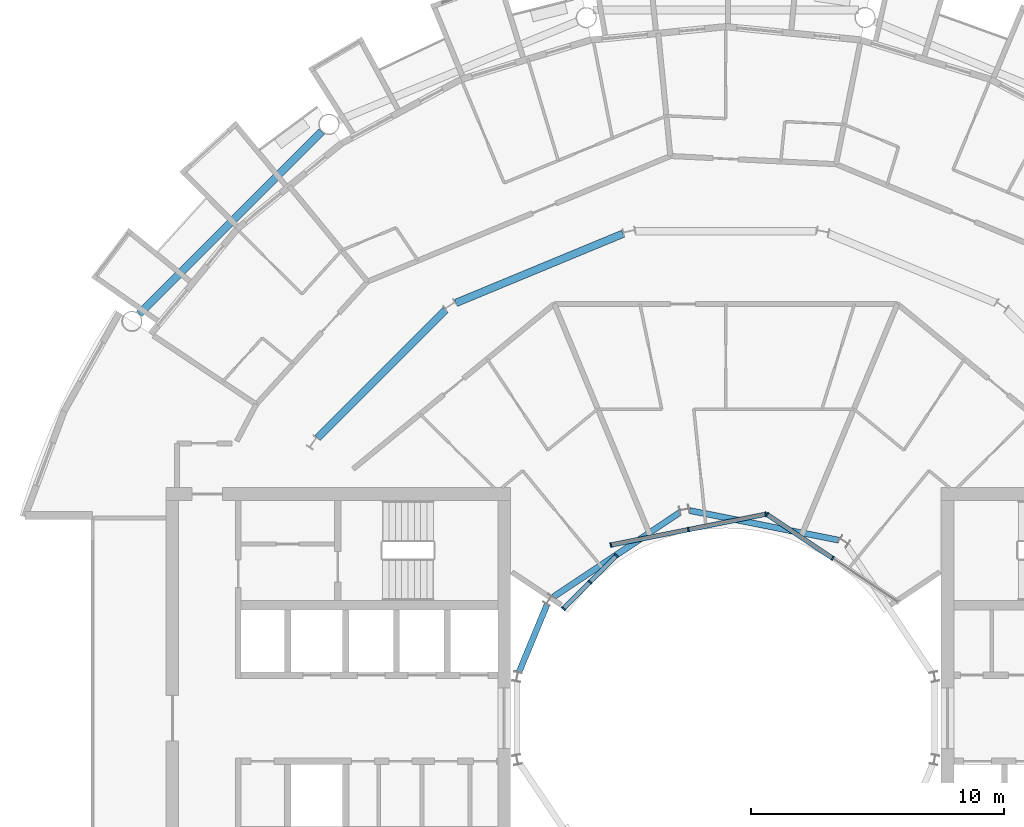
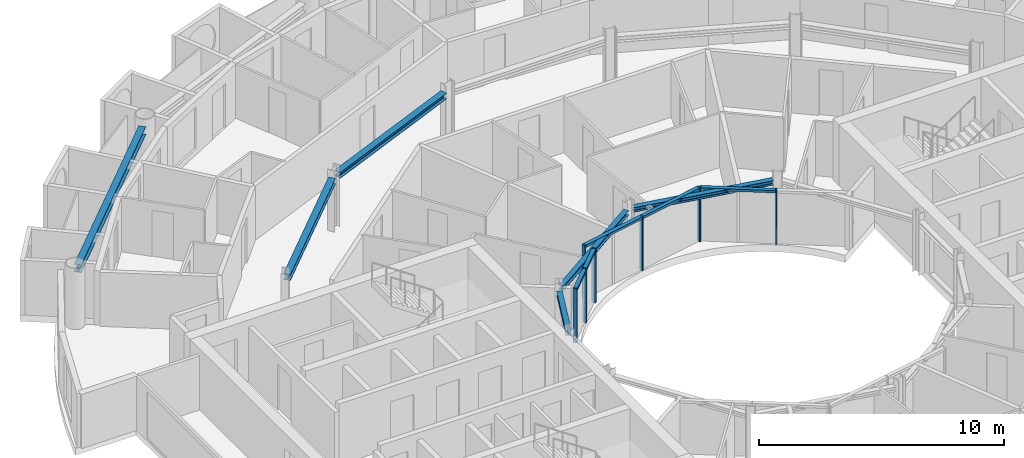
# One storey, part 8 of 28: 13 members, 6 beams, 3 elements without a shape of their own.
"""IFC4 building model written with IfcOpenShell, lengths in metres."""

import ifcopenshell
import ifcopenshell.guid

model = None  # the IFC model being written
_history = None  # IfcOwnerHistory: only IFC2X3 demands one
_inside = {}  # id of a spatial element -> (the spatial element, [elements in it])
_under = {}  # id of a project, library or spatial element -> (it, [spatial elements below it])
_declared = {}  # id of a project -> (the project, [libraries it declares])
_typed = {}  # id of a type object -> (the type object, [elements of that type])
_made_of = {}  # id of a material, layer set ... -> (it, [elements and type objects made of it])


def new_model(schema):
    """Start an empty IFC model of exactly this schema.

    Asked for "IFC4X3", IfcOpenShell would pick the latest addendum, in which some entities
    have other attributes; the version numbers below select the first issue.
    IFC2X3 requires an IfcOwnerHistory on every rooted entity: one is made here for all.
    """
    global model, _history
    if schema == "IFC4X3":
        model = ifcopenshell.file(schema_version=(4, 3, 0, 0))
    else:
        model = ifcopenshell.file(schema=schema)
    _inside.clear()
    _under.clear()
    _declared.clear()
    _typed.clear()
    _made_of.clear()
    _history = None
    if model.schema == "IFC2X3":
        org = make("IfcOrganization", Name="unknown")
        user = make(
            "IfcPersonAndOrganization",
            ThePerson=make("IfcPerson", FamilyName="unknown"),
            TheOrganization=org,
        )
        app = make(
            "IfcApplication",
            ApplicationDeveloper=org,
            Version="unknown",
            ApplicationFullName="unknown",
            ApplicationIdentifier="unknown",
        )
        _history = make(
            "IfcOwnerHistory",
            OwningUser=user,
            OwningApplication=app,
            ChangeAction="ADDED",
            CreationDate=0,
        )
    return model


def make(cls, **values):
    """One entity of the class cls with the attributes given. An attribute that is None is left unset."""
    return model.create_entity(
        cls, **{name: value for name, value in values.items() if value is not None}
    )


def rooted(cls, **values):
    """An entity with a GlobalId (a new one), such as an element, a storey or a relation."""
    return make(cls, GlobalId=ifcopenshell.guid.new(), OwnerHistory=_history, **values)


def si_unit(unit_type, name, prefix=None):
    """IfcSIUnit, for example si_unit("LENGTHUNIT", "METRE", prefix="MILLI")."""
    return make("IfcSIUnit", UnitType=unit_type, Prefix=prefix, Name=name)


def assignment(units):
    """IfcUnitAssignment: the units of a project."""
    return None if units is None else make("IfcUnitAssignment", Units=units)


def point(xyz):
    """IfcCartesianPoint."""
    return None if xyz is None else make("IfcCartesianPoint", Coordinates=xyz)


def direction(xyz):
    """IfcDirection."""
    return None if xyz is None else make("IfcDirection", DirectionRatios=xyz)


def frame(location, z_axis=None, x_axis=None):
    """IfcAxis2Placement3D, a coordinate frame: its origin and axes. An axis left out is left unset."""
    return make(
        "IfcAxis2Placement3D",
        Location=point(location),
        Axis=direction(z_axis),
        RefDirection=direction(x_axis),
    )


def frame_2d(location, x_axis=None):
    """IfcAxis2Placement2D, a coordinate frame in the plane: its origin and x axis."""
    return make(
        "IfcAxis2Placement2D", Location=point(location), RefDirection=direction(x_axis)
    )


def origin():
    """The frame at (0, 0, 0) with its axes left unset."""
    return frame((0.0, 0.0, 0.0))


def origin_2d():
    """The frame at (0, 0) in the plane with its x axis left unset."""
    return frame_2d((0.0, 0.0))


def place(relative_to, where):
    """IfcLocalPlacement: puts the frame where relative to a parent placement (None: the world)."""
    return make(
        "IfcLocalPlacement", PlacementRelTo=relative_to, RelativePlacement=where
    )


def context(
    kind, dimensions, precision=None, world=None, true_north=None, identifier=None
):
    """IfcGeometricRepresentationContext, for example the 3D "Model" context."""
    return make(
        "IfcGeometricRepresentationContext",
        ContextIdentifier=identifier,
        ContextType=kind,
        CoordinateSpaceDimension=dimensions,
        Precision=precision,
        WorldCoordinateSystem=world,
        TrueNorth=true_north,
    )


def subcontext(parent, identifier, kind, view, scale=None):
    """IfcGeometricRepresentationSubContext, for example "Body" below "Model"."""
    return make(
        "IfcGeometricRepresentationSubContext",
        ContextIdentifier=identifier,
        ContextType=kind,
        ParentContext=parent,
        TargetScale=scale,
        TargetView=view,
    )


def project(units=None, contexts=None):
    """IfcProject with its units and contexts."""
    return rooted(
        "IfcProject",
        Name="project",
        RepresentationContexts=contexts,
        UnitsInContext=assignment(units),
    )


def spatial(cls, under=None, at=None, **own):
    """A site, building, storey or space (cls), placed at a placement, below another one or the project."""
    s = rooted(cls, ObjectPlacement=at, **own)
    if under is not None:
        _under.setdefault(under.id(), (under, []))[1].append(s)
    return s


def profile(cls, at=None, kind="AREA", **sizes):
    """A parametric profile (cls). Its sizes go by their IFC names, for example OverallWidth=200.0."""
    return make(cls, ProfileType=kind, Position=at, **sizes)


def rectangle(**sizes):
    """IfcRectangleProfileDef."""
    return profile("IfcRectangleProfileDef", **sizes)


def i_section(**sizes):
    """IfcIShapeProfileDef."""
    return profile("IfcIShapeProfileDef", **sizes)


def extrude(swept, where, along, depth):
    """IfcExtrudedAreaSolid: the profile swept, set in the frame where, extruded along a direction by depth."""
    return make(
        "IfcExtrudedAreaSolid",
        SweptArea=swept,
        Position=where,
        ExtrudedDirection=direction(along),
        Depth=depth,
    )


def shape(context_of_items, identifier, shape_type, items):
    """IfcShapeRepresentation: the items that make up one representation, for example the "Body"."""
    return make(
        "IfcShapeRepresentation",
        ContextOfItems=context_of_items,
        RepresentationIdentifier=identifier,
        RepresentationType=shape_type,
        Items=items,
    )


def material(Name=None, Category=None):
    """IfcMaterial."""
    return make("IfcMaterial", Name=Name, Category=Category)


def layer(
    of_material, thickness, ventilated=None, Name=None, Category=None, Priority=None
):
    """IfcMaterialLayer: one layer of a wall or slab, of a material (None: an air gap)."""
    return make(
        "IfcMaterialLayer",
        Material=of_material,
        LayerThickness=thickness,
        IsVentilated=ventilated,
        Name=Name,
        Category=Category,
        Priority=Priority,
    )


def layer_set(layers, Name=None):
    """IfcMaterialLayerSet."""
    return make("IfcMaterialLayerSet", MaterialLayers=layers, LayerSetName=Name)


def material_profile(
    of_material, cross_section, Name=None, Category=None, Priority=None
):
    """IfcMaterialProfile: a cross section and its material."""
    return make(
        "IfcMaterialProfile",
        Name=Name,
        Material=of_material,
        Profile=cross_section,
        Priority=Priority,
        Category=Category,
    )


def profile_set(profiles, Name=None, composite=None):
    """IfcMaterialProfileSet."""
    return make(
        "IfcMaterialProfileSet",
        Name=Name,
        MaterialProfiles=profiles,
        CompositeProfile=composite,
    )


def made_of(thing, what):
    """Note that an element or type object is made of a material, layer set ...; save() writes the relation."""
    if what is not None:
        _made_of.setdefault(what.id(), (what, []))[1].append(thing)
    return thing


def type_object(cls, material=None, **own):
    """A type object (cls), such as IfcWallType, which elements share."""
    return made_of(rooted(cls, **own), material)


def element(
    cls,
    number,
    at=None,
    inside=None,
    cuts=None,
    type_object=None,
    material=None,
    context=None,
    identifier="Body",
    shape_type=None,
    held_by="IfcProductDefinitionShape",
    body=None,
    shapes=None,
    **own,
):
    """One element of the class cls, such as IfcWall. Its Tag is "e" and its number.

    at: its placement. inside: the storey or other place that contains it. cuts: it is an
    opening in that element (IfcRelVoidsElement). A single representation is given by context,
    identifier, shape_type and body (its items); several are given by shapes. held_by: the class
    of the entity that holds the representations. save() writes the other relations.
    """
    e = rooted(cls, Tag="e%d" % number, ObjectPlacement=at, **own)
    if body is not None:
        shapes = [shape(context, identifier, shape_type, body)]
    if shapes is not None:
        e.Representation = make(held_by, Representations=shapes)
    if inside is not None:
        _inside.setdefault(inside.id(), (inside, []))[1].append(e)
    if cuts is not None:
        rooted(
            "IfcRelVoidsElement", RelatingBuildingElement=cuts, RelatedOpeningElement=e
        )
    if type_object is not None:
        _typed.setdefault(type_object.id(), (type_object, []))[1].append(e)
    return made_of(e, material)


def aggregate(whole, parts):
    """IfcRelAggregates: a whole, such as a stair, and the parts it consists of."""
    return rooted("IfcRelAggregates", RelatingObject=whole, RelatedObjects=parts)


def save(model, path):
    """Write the relations noted so far, then the file.

    IfcRelAggregates (storeys below a building ...), IfcRelContainedInSpatialStructure (elements
    in a storey), IfcRelDefinesByType, IfcRelAssociatesMaterial and IfcRelDeclares: one each for
    every whole, place, type object, material and project.
    """
    for whole, parts in _under.values():
        aggregate(whole, parts)
    for where, things in _inside.values():
        rooted(
            "IfcRelContainedInSpatialStructure",
            RelatedElements=things,
            RelatingStructure=where,
        )
    for kind, things in _typed.values():
        rooted("IfcRelDefinesByType", RelatedObjects=things, RelatingType=kind)
    for what, things in _made_of.values():
        rooted("IfcRelAssociatesMaterial", RelatedObjects=things, RelatingMaterial=what)
    for by, libraries in _declared.values():
        rooted("IfcRelDeclares", RelatingContext=by, RelatedDefinitions=libraries)
    model.write(path)


model = new_model("IFC4")

# Units and contexts
model_context = context("Model", 3, precision=1e-05, world=origin(), true_north=direction((0.0, 1.0)))
body_context = subcontext(model_context, "Body", "Model", "MODEL_VIEW")
ifc_project = project(units=[si_unit("LENGTHUNIT", "METRE"), si_unit("AREAUNIT", "SQUARE_METRE"), si_unit("VOLUMEUNIT", "CUBIC_METRE"), si_unit("PLANEANGLEUNIT", "RADIAN"), si_unit("MASSUNIT", "GRAM", prefix="KILO")], contexts=[model_context])

# Site, building, storey
site_placement = place(None, origin())
site = spatial("IfcSite", under=ifc_project, at=site_placement, CompositionType="ELEMENT")
building_placement = place(site_placement, origin())
building = spatial("IfcBuilding", under=site, at=building_placement, Name="Maasbend Ring Residences", CompositionType="ELEMENT")
storey_placement = place(building_placement, frame((0.0, 0.0, 173.800048828125)))
storey = spatial("IfcBuildingStorey", under=building, at=storey_placement, Name="L50", CompositionType="ELEMENT", Elevation=173.800048828125)

# Curtain wall, members
ifc_material_1 = material(Name="Aluminium and clear glass", Category="aluminium")
ifc_layer = layer(ifc_material_1, 0.179931640625)
ifc_layer_set = layer_set([ifc_layer], Name="CW-W")
curtain_wall_type = type_object("IfcCurtainWallType", Name="CW-W", PredefinedType="NOTDEFINED", material=ifc_layer_set)
curtain_wall_1_placement = place(storey_placement, origin())
curtain_wall_1 = element("IfcCurtainWall", 1, at=curtain_wall_1_placement, inside=storey, type_object=curtain_wall_type, Name="Well curtain wall N1", PredefinedType="NOTDEFINED")
ifc_material_2 = material(Name="Aluminium 6063-T6", Category="aluminium")
ifc_material_profile_1 = material_profile(ifc_material_2, rectangle(XDim=0.179931640625, YDim=0.06005859375, at=origin_2d()), Name="AL 180x60")
ifc_profile_set_1 = profile_set([ifc_material_profile_1], Name="Aluminium 6063-T6")
member_type_1 = type_object("IfcMemberType", Name="CWM-W", PredefinedType="MULLION", material=ifc_profile_set_1)
member_1_placement = place(storey_placement, frame((4.216796875, 6.310791015625, 0.0), z_axis=(0.0, 0.0, 1.0), x_axis=(-0.55557023302, -0.831469612303, 0.0)))
member_1 = element("IfcMember", 2, at=member_1_placement, type_object=member_type_1, Name="Mullion well face", PredefinedType="MULLION", context=body_context, shape_type="SweptSolid", body=[
    extrude(rectangle(XDim=0.179931640625, YDim=0.06005859375, at=origin_2d()), origin(), (0.0, 0.0, 1.0), 2.699951171875),
])
member_2_placement = place(storey_placement, frame((1.627685546875, 8.040771484375, 0.0), z_axis=(0.0, 0.0, 1.0), x_axis=(-0.55557023302, -0.831469612303, 0.0)))
member_2 = element("IfcMember", 3, at=member_2_placement, type_object=member_type_1, Name="Mullion well face", PredefinedType="MULLION", context=body_context, shape_type="SweptSolid", body=[
    extrude(rectangle(XDim=0.179931640625, YDim=0.06005859375, at=origin_2d()), origin(), (0.0, 0.0, 1.0), 2.699951171875),
])

curtain_wall_2_placement = place(storey_placement, origin())
curtain_wall_2 = element("IfcCurtainWall", 4, at=curtain_wall_2_placement, inside=storey, type_object=curtain_wall_type, Name="Well curtain wall N2", PredefinedType="NOTDEFINED")
member_3_placement = place(storey_placement, frame((1.5732421875, 8.0517578125, 0.0), z_axis=(0.0, 0.0, 1.0), x_axis=(0.195090322016, -0.980785280403, 0.0)))
member_3 = element("IfcMember", 5, at=member_3_placement, type_object=member_type_1, Name="Mullion well face", PredefinedType="MULLION", context=body_context, shape_type="SweptSolid", body=[
    extrude(rectangle(XDim=0.179931640625, YDim=0.06005859375, at=origin_2d()), origin(), (0.0, 0.0, 1.0), 2.699951171875),
])
member_4_placement = place(storey_placement, frame((-1.480712890625, 7.444091796875, 0.0), z_axis=(0.0, 0.0, 1.0), x_axis=(0.195090322016, -0.980785280403, 0.0)))
member_4 = element("IfcMember", 6, at=member_4_placement, type_object=member_type_1, Name="Mullion well face", PredefinedType="MULLION", context=body_context, shape_type="SweptSolid", body=[
    extrude(rectangle(XDim=0.179931640625, YDim=0.06005859375, at=origin_2d()), origin(), (0.0, 0.0, 1.0), 2.699951171875),
])
member_5_placement = place(storey_placement, frame((-4.53466796875, 6.836669921875, 0.0), z_axis=(0.0, 0.0, 1.0), x_axis=(0.195090322016, -0.980785280403, 0.0)))
member_5 = element("IfcMember", 7, at=member_5_placement, type_object=member_type_1, Name="Mullion well face", PredefinedType="MULLION", context=body_context, shape_type="SweptSolid", body=[
    extrude(rectangle(XDim=0.179931640625, YDim=0.06005859375, at=origin_2d()), origin(), (0.0, 0.0, 1.0), 2.699951171875),
])

curtain_wall_3_placement = place(storey_placement, origin())
curtain_wall_3 = element("IfcCurtainWall", 8, at=curtain_wall_3_placement, inside=storey, type_object=curtain_wall_type, Name="Well curtain wall N3", PredefinedType="NOTDEFINED")
member_6_placement = place(storey_placement, frame((-4.320556640625, 6.413330078125, 0.0), z_axis=(0.0, 0.0, 1.0), x_axis=(0.707106781187, -0.707106781187, 0.0)))
member_6 = element("IfcMember", 9, at=member_6_placement, type_object=member_type_1, Name="Mullion well face", PredefinedType="MULLION", context=body_context, shape_type="SweptSolid", body=[
    extrude(rectangle(XDim=0.179931640625, YDim=0.06005859375, at=origin_2d()), origin(), (0.0, 0.0, 1.0), 2.699951171875),
])
member_7_placement = place(storey_placement, frame((-5.366943359375, 5.366943359375, 0.0), z_axis=(0.0, 0.0, 1.0), x_axis=(0.707106781187, -0.707106781187, 0.0)))
member_7 = element("IfcMember", 10, at=member_7_placement, type_object=member_type_1, Name="Mullion well face", PredefinedType="MULLION", context=body_context, shape_type="SweptSolid", body=[
    extrude(rectangle(XDim=0.179931640625, YDim=0.06005859375, at=origin_2d()), origin(), (0.0, 0.0, 1.0), 2.699951171875),
])
member_8_placement = place(storey_placement, frame((-6.413330078125, 4.320556640625, 0.0), z_axis=(0.0, 0.0, 1.0), x_axis=(0.707106781187, -0.707106781187, 0.0)))
member_8 = element("IfcMember", 11, at=member_8_placement, type_object=member_type_1, Name="Mullion well face", PredefinedType="MULLION", context=body_context, shape_type="SweptSolid", body=[
    extrude(rectangle(XDim=0.179931640625, YDim=0.06005859375, at=origin_2d()), origin(), (0.0, 0.0, 1.0), 2.699951171875),
])

# Member
ifc_material_3 = material(Name="Aluminium 6063-T6", Category="aluminium")
ifc_material_profile_2 = material_profile(ifc_material_3, rectangle(XDim=0.179931640625, YDim=0.1201171875, at=origin_2d()), Name="AL 180x120")
ifc_profile_set_2 = profile_set([ifc_material_profile_2], Name="Aluminium 6063-T6")
member_type_2 = type_object("IfcMemberType", Name="CWT-W", PredefinedType="USERDEFINED", material=ifc_profile_set_2)
member_9_placement = place(storey_placement, frame((4.19189453125, 6.32763671875, 2.639892578125), z_axis=(-0.831496422459, 0.555530106689, 0.0), x_axis=(-0.555530106689, -0.831496422459, 0.0)))
member_9 = element("IfcMember", 12, at=member_9_placement, type_object=member_type_2, Name="Transom well face", ObjectType="TRANSOM", PredefinedType="USERDEFINED", context=body_context, shape_type="SweptSolid", body=[
    extrude(rectangle(XDim=0.179931640625, YDim=0.1201171875, at=origin_2d()), origin(), (0.0, 0.0, 1.0), 3.053955078125),
])

aggregate(curtain_wall_1, [member_1, member_2, member_9])

member_10_placement = place(storey_placement, frame((1.5439453125, 8.0458984375, 2.639892578125), z_axis=(-0.980776956105, -0.195132166424, 0.0), x_axis=(0.195132166424, -0.980776956105, 0.0)))
member_10 = element("IfcMember", 13, at=member_10_placement, type_object=member_type_2, Name="Transom well face", ObjectType="TRANSOM", PredefinedType="USERDEFINED", context=body_context, shape_type="SweptSolid", body=[
    extrude(rectangle(XDim=0.179931640625, YDim=0.1201171875, at=origin_2d()), origin(), (0.0, 0.0, 1.0), 3.053955078125),
])

member_11_placement = place(storey_placement, frame((-1.51025390625, 7.438232421875, 2.639892578125), z_axis=(-0.980789210404, -0.19507056353, 0.0), x_axis=(0.19507056353, -0.980789210404, 0.0)))
member_11 = element("IfcMember", 14, at=member_11_placement, type_object=member_type_2, Name="Transom well face", ObjectType="TRANSOM", PredefinedType="USERDEFINED", context=body_context, shape_type="SweptSolid", body=[
    extrude(rectangle(XDim=0.179931640625, YDim=0.1201171875, at=origin_2d()), origin(), (0.0, 0.0, 1.0), 3.0537109375),
])

aggregate(curtain_wall_2, [member_3, member_4, member_5, member_10, member_11])

member_12_placement = place(storey_placement, frame((-4.341796875, 6.39208984375, 2.639892578125), z_axis=(-0.707106781187, -0.707106781187, 0.0), x_axis=(0.707106781187, -0.707106781187, 0.0)))
member_12 = element("IfcMember", 15, at=member_12_placement, type_object=member_type_2, Name="Transom well face", ObjectType="TRANSOM", PredefinedType="USERDEFINED", context=body_context, shape_type="SweptSolid", body=[
    extrude(rectangle(XDim=0.179931640625, YDim=0.1201171875, at=origin_2d()), origin(), (0.0, 0.0, 1.0), 1.419677734375),
])

member_13_placement = place(storey_placement, frame((-5.38818359375, 5.345703125, 2.639892578125), z_axis=(-0.707106781187, -0.707106781187, 0.0), x_axis=(0.707106781187, -0.707106781187, 0.0)))
member_13 = element("IfcMember", 16, at=member_13_placement, type_object=member_type_2, Name="Transom well face", ObjectType="TRANSOM", PredefinedType="USERDEFINED", context=body_context, shape_type="SweptSolid", body=[
    extrude(rectangle(XDim=0.179931640625, YDim=0.1201171875, at=origin_2d()), origin(), (0.0, 0.0, 1.0), 1.419677734375),
])

aggregate(curtain_wall_3, [member_6, member_7, member_8, member_12, member_13])

# Beams
ifc_material_4 = material(Name="Steel S355J2", Category="steel")
ifc_material_profile_3 = material_profile(ifc_material_4, i_section(OverallWidth=0.300048828125, OverallDepth=0.2900390625, WebThickness=0.008544921875, FlangeThickness=0.013916015625, FilletRadius=0.027099609375, at=origin_2d()), Name="HEA 300")
ifc_profile_set_3 = profile_set([ifc_material_profile_3], Name="Steel S355J2")
beam_type_1 = type_object("IfcBeamType", Name="Corridor ring beam HEA 300", PredefinedType="BEAM", material=ifc_profile_set_3)
for number, where, z_axis, x_axis, name in (
    (17, (-4.059326171875, 19.1259765625, 2.554931640625), (-0.923871339849, -0.382703210602, 0.0), (0.382703210602, -0.923871339849, 0.0), "Corridor ring beam"),
    (18, (-11.0693359375, 16.11669921875, 2.554931640625), (-0.707106781187, -0.707106781187, 0.0), (0.707106781187, -0.707106781187, 0.0), "Corridor ring beam"),
):
    element("IfcBeam", number, at=place(storey_placement, frame(where, z_axis=z_axis, x_axis=x_axis)), inside=storey, type_object=beam_type_1, Name=name, PredefinedType="BEAM", context=body_context, shape_type="SweptSolid", body=[
        extrude(i_section(OverallWidth=0.300048828125, OverallDepth=0.2900390625, WebThickness=0.008544921875, FlangeThickness=0.013916015625, FilletRadius=0.027099609375, at=origin_2d()), origin(), (0.0, 0.0, 1.0), 7.137939453125),
    ])
ifc_material_5 = material(Name="Steel S355J2", Category="steel")
ifc_material_profile_4 = material_profile(ifc_material_5, i_section(OverallWidth=0.300048828125, OverallDepth=0.39990234375, WebThickness=0.013427734375, FlangeThickness=0.02392578125, FilletRadius=0.027099609375, at=origin_2d()), Name="HEB 400")
ifc_profile_set_4 = profile_set([ifc_material_profile_4], Name="Steel S355J2")
beam_type_2 = type_object("IfcBeamType", Name="Spandrel ring beam HEB 400", PredefinedType="SPANDREL", material=ifc_profile_set_4)
beam_1_placement = place(storey_placement, frame((-15.95458984375, 23.159912109375, 2.5), z_axis=(-0.707106781187, -0.707106781187, 0.0), x_axis=(0.707106781187, -0.707106781187, 0.0)))
element("IfcBeam", 19, at=beam_1_placement, inside=storey, type_object=beam_type_2, Name="Spandrel ring beam", PredefinedType="SPANDREL", context=body_context, shape_type="SweptSolid", body=[
    extrude(i_section(OverallWidth=0.300048828125, OverallDepth=0.39990234375, WebThickness=0.013427734375, FlangeThickness=0.02392578125, FilletRadius=0.027099609375, at=origin_2d()), origin(), (0.0, 0.0, 1.0), 10.18994140625),
])
ifc_material_6 = material(Name="Steel S355J2", Category="steel")
ifc_material_profile_5 = material_profile(ifc_material_6, i_section(OverallWidth=0.239990234375, OverallDepth=0.22998046875, WebThickness=0.007568359375, FlangeThickness=0.011962890625, FilletRadius=0.02099609375, at=origin_2d()), Name="HEA 240")
ifc_profile_set_5 = profile_set([ifc_material_profile_5], Name="Steel S355J2")
beam_type_3 = type_object("IfcBeamType", Name="Well edge beam HEA 240", PredefinedType="BEAM", material=ifc_profile_set_5)
beam_2_placement = place(storey_placement, frame((4.459716796875, 7.025390625, 2.5849609375), z_axis=(-0.980778695042, 0.195123425945, 0.0), x_axis=(-0.195123425945, -0.980778695042, 0.0)))
element("IfcBeam", 20, at=beam_2_placement, inside=storey, type_object=beam_type_3, Name="Well edge beam", PredefinedType="BEAM", context=body_context, shape_type="SweptSolid", body=[
    extrude(i_section(OverallWidth=0.239990234375, OverallDepth=0.22998046875, WebThickness=0.007568359375, FlangeThickness=0.011962890625, FilletRadius=0.02099609375, at=origin_2d()), origin(), (0.0, 0.0, 1.0), 6.007080078125),
])
beam_3_placement = place(storey_placement, frame((-1.814208984375, 8.121337890625, 2.5849609375), z_axis=(-0.831480850227, -0.555553413909, 0.0), x_axis=(0.555553413909, -0.831480850227, 0.0)))
element("IfcBeam", 21, at=beam_3_placement, inside=storey, type_object=beam_type_3, Name="Well edge beam", PredefinedType="BEAM", context=body_context, shape_type="SweptSolid", body=[
    extrude(i_section(OverallWidth=0.239990234375, OverallDepth=0.22998046875, WebThickness=0.007568359375, FlangeThickness=0.011962890625, FilletRadius=0.02099609375, at=origin_2d()), origin(), (0.0, 0.0, 1.0), 6.0068359375),
])
beam_4_placement = place(storey_placement, frame((-7.060302734375, 4.483154296875, 2.5849609375), z_axis=(-0.382748596828, -0.923852537814, 0.0), x_axis=(0.923852537814, -0.382748596828, 0.0)))
element("IfcBeam", 22, at=beam_4_placement, inside=storey, type_object=beam_type_3, Name="Well edge beam", PredefinedType="BEAM", context=body_context, shape_type="SweptSolid", body=[
    extrude(i_section(OverallWidth=0.239990234375, OverallDepth=0.22998046875, WebThickness=0.007568359375, FlangeThickness=0.011962890625, FilletRadius=0.02099609375, at=origin_2d()), origin(), (0.0, 0.0, 1.0), 2.8798828125),
])

save(model, "model.ifc")
